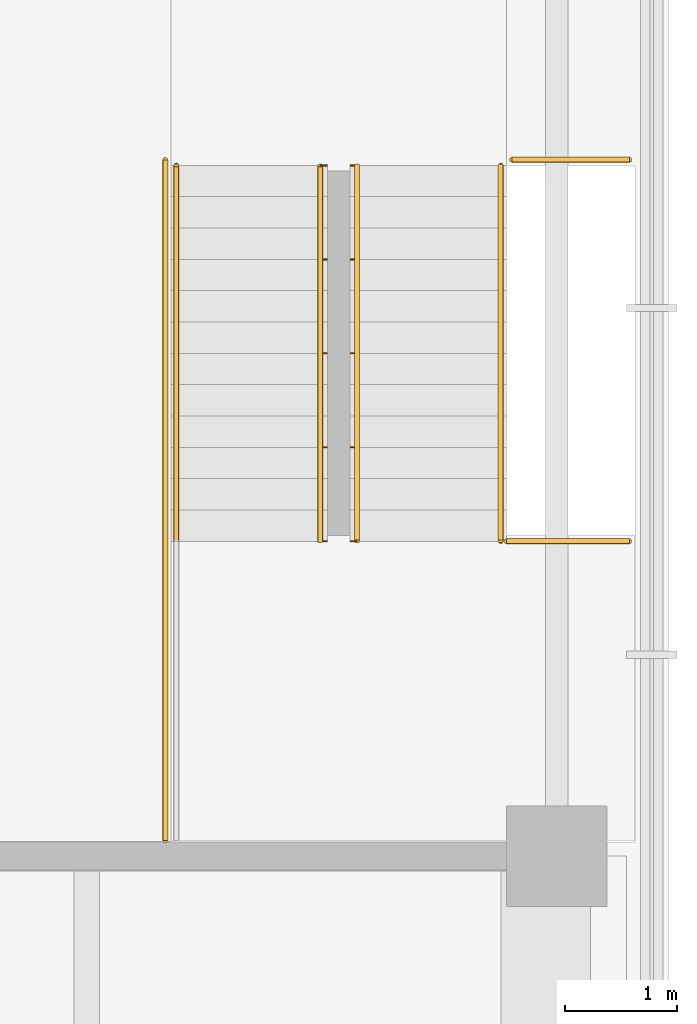
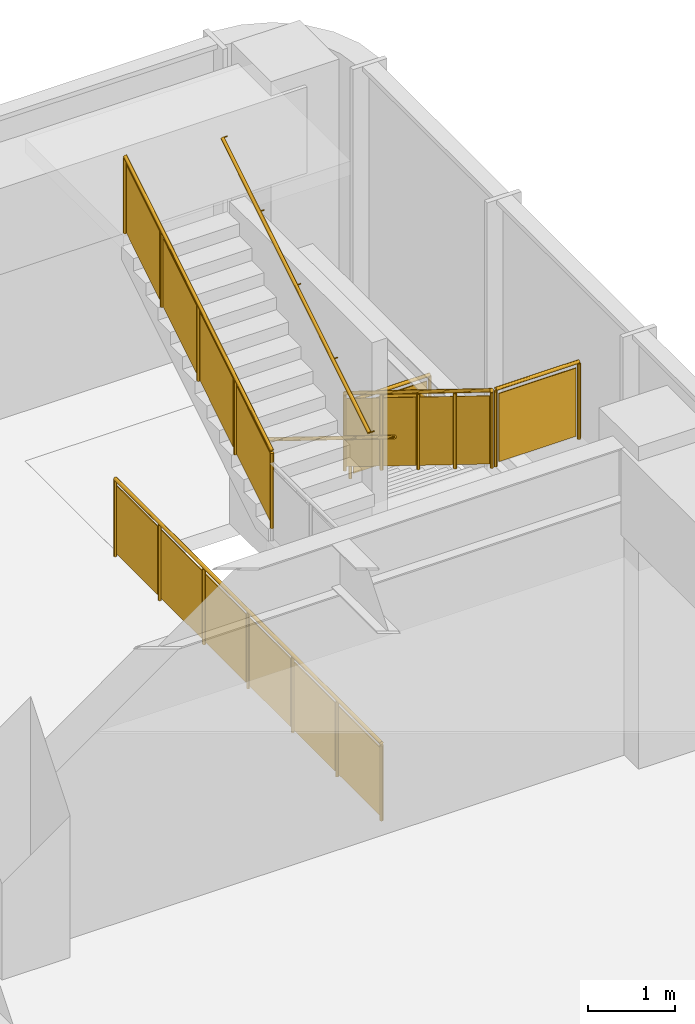
# One storey, part 17 of 17: 7 railings.
"""IFC4 building model written with IfcOpenShell, lengths in metres."""

from ifc_helpers import new_model, si_unit, direction, frame, origin, origin_2d, place, context, subcontext, project, spatial, polyline, circle, outline, extrude, material, type_object, element, save


model = new_model("IFC4")

# Units and contexts
model_context = context("Model", 3, precision=1e-05, world=origin(), true_north=direction((0.0, 1.0)))
body_context = subcontext(model_context, "Body", "Model", "MODEL_VIEW")
ifc_project = project(units=[si_unit("LENGTHUNIT", "METRE"), si_unit("AREAUNIT", "SQUARE_METRE"), si_unit("VOLUMEUNIT", "CUBIC_METRE"), si_unit("PLANEANGLEUNIT", "RADIAN"), si_unit("MASSUNIT", "GRAM", prefix="KILO")], contexts=[model_context])

# Site, building, storey
site_placement = place(None, origin())
site = spatial("IfcSite", under=ifc_project, at=site_placement, CompositionType="ELEMENT")
building_placement = place(site_placement, origin())
building = spatial("IfcBuilding", under=site, at=building_placement, Name="Torre Alcanfor", CompositionType="ELEMENT")
storey_placement = place(building_placement, frame((0.0, 0.0, 19.5)))
storey = spatial("IfcBuildingStorey", under=building, at=storey_placement, Name="L04", CompositionType="ELEMENT", Elevation=19.5)

# Railings
ifc_material_1 = material(Name="Steel ASTM A500 Grade C hollow sections", Category="steel")
railing_type_1 = type_object("IfcRailingType", Name="Stair guard and handrail 1100", PredefinedType="GUARDRAIL", material=ifc_material_1)
railing_1_placement = place(storey_placement, frame((55.300048828125, 56.625, 0.0)))
element("IfcRailing", 1, at=railing_1_placement, inside=storey, type_object=railing_type_1, Name="Stair well guard SS4 L04 door side", PredefinedType="GUARDRAIL", context=body_context, shape_type="SweptSolid", body=[
    extrude(circle(Radius=0.02392578125, at=origin_2d()), frame((0.0, 0.0, 1.076171875), z_axis=(0.0, -1.0, 0.0), x_axis=(1.0, 0.0, 0.0)), (0.0, 0.0, 1.0), 6.0849609375),
    extrude(circle(Radius=0.02099609375, at=origin_2d()), origin(), (0.0, 0.0, 1.0), 1.052001953125),
    extrude(circle(Radius=0.02099609375, at=origin_2d()), frame((0.0, -1.01416015625, 0.0)), (0.0, 0.0, 1.0), 1.052001953125),
    extrude(circle(Radius=0.02099609375, at=origin_2d()), frame((0.0, -2.0283203125, 0.0)), (0.0, 0.0, 1.0), 1.052001953125),
    extrude(circle(Radius=0.02099609375, at=origin_2d()), frame((0.0, -3.04248046875, 0.0)), (0.0, 0.0, 1.0), 1.052001953125),
    extrude(circle(Radius=0.02099609375, at=origin_2d()), frame((0.0, -4.056640625, 0.0)), (0.0, 0.0, 1.0), 1.052001953125),
    extrude(circle(Radius=0.02099609375, at=origin_2d()), frame((0.0, -5.07080078125, 0.0)), (0.0, 0.0, 1.0), 1.052001953125),
    extrude(circle(Radius=0.02099609375, at=origin_2d()), frame((0.0, -6.0849609375, 0.0)), (0.0, 0.0, 1.0), 1.052001953125),
    extrude(outline(polyline([(0.041015625, 0.050048828125), (0.97314453125, 0.050048828125), (0.97314453125, 1.001953125), (0.041015625, 1.001953125), (0.041015625, 0.050048828125)])), frame((0.005859375, 0.0, 0.0), z_axis=(-1.0, 0.0, 0.0), x_axis=(0.0, -1.0, 0.0)), (0.0, 0.0, 1.0), 0.011962890625),
    extrude(outline(polyline([(1.05517578125, 0.050048828125), (1.9873046875, 0.050048828125), (1.9873046875, 1.001953125), (1.05517578125, 1.001953125), (1.05517578125, 0.050048828125)])), frame((0.005859375, 0.0, 0.0), z_axis=(-1.0, 0.0, 0.0), x_axis=(0.0, -1.0, 0.0)), (0.0, 0.0, 1.0), 0.011962890625),
    extrude(outline(polyline([(2.0693359375, 0.050048828125), (3.00146484375, 0.050048828125), (3.00146484375, 1.001953125), (2.0693359375, 1.001953125), (2.0693359375, 0.050048828125)])), frame((0.005859375, 0.0, 0.0), z_axis=(-1.0, 0.0, 0.0), x_axis=(0.0, -1.0, 0.0)), (0.0, 0.0, 1.0), 0.011962890625),
    extrude(outline(polyline([(3.08349609375, 0.050048828125), (4.015625, 0.050048828125), (4.015625, 1.001953125), (3.08349609375, 1.001953125), (3.08349609375, 0.050048828125)])), frame((0.005859375, 0.0, 0.0), z_axis=(-1.0, 0.0, 0.0), x_axis=(0.0, -1.0, 0.0)), (0.0, 0.0, 1.0), 0.011962890625),
    extrude(outline(polyline([(4.09765625, 0.050048828125), (5.02978515625, 0.050048828125), (5.02978515625, 1.001953125), (4.09765625, 1.001953125), (4.09765625, 0.050048828125)])), frame((0.005859375, 0.0, 0.0), z_axis=(-1.0, 0.0, 0.0), x_axis=(0.0, -1.0, 0.0)), (0.0, 0.0, 1.0), 0.011962890625),
    extrude(outline(polyline([(5.11181640625, 0.050048828125), (6.0439453125, 0.050048828125), (6.0439453125, 1.001953125), (5.11181640625, 1.001953125), (5.11181640625, 0.050048828125)])), frame((0.005859375, 0.0, 0.0), z_axis=(-1.0, 0.0, 0.0), x_axis=(0.0, -1.0, 0.0)), (0.0, 0.0, 1.0), 0.011962890625),
])
railing_2_placement = place(storey_placement, frame((59.449951171875, 56.625, 0.0)))
element("IfcRailing", 2, at=railing_2_placement, inside=storey, type_object=railing_type_1, Name="Stair well guard SS4 L04 facade strip", PredefinedType="GUARDRAIL", context=body_context, shape_type="SweptSolid", body=[
    extrude(circle(Radius=0.02392578125, at=origin_2d()), frame((0.0, 0.0, 1.076171875), z_axis=(-1.0, 0.0, 0.0), x_axis=(0.0, -1.0, 0.0)), (0.0, 0.0, 1.0), 1.050048828125),
    extrude(circle(Radius=0.02099609375, at=origin_2d()), origin(), (0.0, 0.0, 1.0), 1.052001953125),
    extrude(circle(Radius=0.02099609375, at=origin_2d()), frame((-1.050048828125, 0.0, 0.0)), (0.0, 0.0, 1.0), 1.052001953125),
    extrude(outline(polyline([(0.041015625, 0.050048828125), (1.009033203125, 0.050048828125), (1.009033203125, 1.001953125), (0.041015625, 1.001953125), (0.041015625, 0.050048828125)])), frame((0.0, -0.005859375, 0.0), z_axis=(0.0, 1.0, 0.0), x_axis=(-1.0, 0.0, 0.0)), (0.0, 0.0, 1.0), 0.011962890625),
])
railing_3_placement = place(storey_placement, frame((58.300048828125, 56.574951171875, 0.173095703125)))
element("IfcRailing", 3, at=railing_3_placement, inside=storey, type_object=railing_type_1, Name="Stair guard SS4 L04 flight 1", PredefinedType="GUARDRAIL", context=body_context, shape_type="SweptSolid", body=[
    extrude(circle(Radius=0.02392578125, at=origin_2d()), frame((0.0, 0.0, 1.076171875), z_axis=(0.0, -0.850606129759, 0.525803396734), x_axis=(1.0, 0.0, 0.0)), (0.0, 0.0, 1.0), 3.949951171875),
    extrude(circle(Radius=0.02099609375, at=origin_2d()), origin(), (0.0, 0.0, 1.0), 1.052001953125),
    extrude(circle(Radius=0.02099609375, at=origin_2d()), frame((0.0, -0.83984375, 0.519287109375)), (0.0, 0.0, 1.0), 1.052001953125),
    extrude(circle(Radius=0.02099609375, at=origin_2d()), frame((0.0, -1.679931640625, 1.03857421875)), (0.0, 0.0, 1.0), 1.052001953125),
    extrude(circle(Radius=0.02099609375, at=origin_2d()), frame((0.0, -2.52001953125, 1.5576171875)), (0.0, 0.0, 1.0), 1.052001953125),
    extrude(circle(Radius=0.02099609375, at=origin_2d()), frame((0.0, -3.35986328125, 2.076904296875)), (0.0, 0.0, 1.0), 1.052001953125),
    extrude(outline(polyline([(0.041015625, 0.075439453125), (0.799072265625, 0.5439453125), (0.799072265625, 1.495849609375), (0.041015625, 1.02734375), (0.041015625, 0.075439453125)])), frame((0.005859375, 0.0, 0.0), z_axis=(-1.0, 0.0, 0.0), x_axis=(0.0, -1.0, 0.0)), (0.0, 0.0, 1.0), 0.011962890625),
    extrude(outline(polyline([(0.880859375, 0.594482421875), (1.638916015625, 1.06298828125), (1.638916015625, 2.01513671875), (0.880859375, 1.546630859375), (0.880859375, 0.594482421875)])), frame((0.005859375, 0.0, 0.0), z_axis=(-1.0, 0.0, 0.0), x_axis=(0.0, -1.0, 0.0)), (0.0, 0.0, 1.0), 0.011962890625),
    extrude(outline(polyline([(1.720947265625, 1.11376953125), (2.47900390625, 1.582275390625), (2.47900390625, 2.534423828125), (1.720947265625, 2.06591796875), (1.720947265625, 1.11376953125)])), frame((0.005859375, 0.0, 0.0), z_axis=(-1.0, 0.0, 0.0), x_axis=(0.0, -1.0, 0.0)), (0.0, 0.0, 1.0), 0.011962890625),
    extrude(outline(polyline([(2.560791015625, 1.633056640625), (3.31884765625, 2.1015625), (3.31884765625, 3.053466796875), (2.560791015625, 2.5849609375), (2.560791015625, 1.633056640625)])), frame((0.005859375, 0.0, 0.0), z_axis=(-1.0, 0.0, 0.0), x_axis=(0.0, -1.0, 0.0)), (0.0, 0.0, 1.0), 0.011962890625),
])
railing_4_placement = place(storey_placement, frame((55.39990234375, 53.215087890625, 2.423095703125)))
element("IfcRailing", 4, at=railing_4_placement, inside=storey, type_object=railing_type_1, Name="Stair guard SS4 L04 flight 2", PredefinedType="GUARDRAIL", context=body_context, shape_type="SweptSolid", body=[
    extrude(circle(Radius=0.02392578125, at=origin_2d()), frame((0.0, 0.0, 1.076171875), z_axis=(0.0, 0.850606129759, 0.525803396734), x_axis=(-1.0, 0.0, 0.0)), (0.0, 0.0, 1.0), 3.949951171875),
    extrude(circle(Radius=0.02099609375, at=origin_2d()), origin(), (0.0, 0.0, 1.0), 1.052001953125),
    extrude(circle(Radius=0.02099609375, at=origin_2d()), frame((0.0, 0.83984375, 0.519287109375)), (0.0, 0.0, 1.0), 1.052001953125),
    extrude(circle(Radius=0.02099609375, at=origin_2d()), frame((0.0, 1.679931640625, 1.03857421875)), (0.0, 0.0, 1.0), 1.052001953125),
    extrude(circle(Radius=0.02099609375, at=origin_2d()), frame((0.0, 2.52001953125, 1.5576171875)), (0.0, 0.0, 1.0), 1.052001953125),
    extrude(circle(Radius=0.02099609375, at=origin_2d()), frame((0.0, 3.35986328125, 2.076904296875)), (0.0, 0.0, 1.0), 1.052001953125),
    extrude(outline(polyline([(0.041015625, 0.075439453125), (0.799072265625, 0.5439453125), (0.799072265625, 1.495849609375), (0.041015625, 1.02734375), (0.041015625, 0.075439453125)])), frame((-0.005859375, 0.0, 0.0), z_axis=(1.0, 0.0, 0.0), x_axis=(0.0, 1.0, 0.0)), (0.0, 0.0, 1.0), 0.011962890625),
    extrude(outline(polyline([(0.880859375, 0.594482421875), (1.638916015625, 1.06298828125), (1.638916015625, 2.01513671875), (0.880859375, 1.546630859375), (0.880859375, 0.594482421875)])), frame((-0.005859375, 0.0, 0.0), z_axis=(1.0, 0.0, 0.0), x_axis=(0.0, 1.0, 0.0)), (0.0, 0.0, 1.0), 0.011962890625),
    extrude(outline(polyline([(1.720947265625, 1.11376953125), (2.47900390625, 1.582275390625), (2.47900390625, 2.534423828125), (1.720947265625, 2.06591796875), (1.720947265625, 1.11376953125)])), frame((-0.005859375, 0.0, 0.0), z_axis=(1.0, 0.0, 0.0), x_axis=(0.0, 1.0, 0.0)), (0.0, 0.0, 1.0), 0.011962890625),
    extrude(outline(polyline([(2.560791015625, 1.633056640625), (3.31884765625, 2.1015625), (3.31884765625, 3.053466796875), (2.560791015625, 2.5849609375), (2.560791015625, 1.633056640625)])), frame((-0.005859375, 0.0, 0.0), z_axis=(1.0, 0.0, 0.0), x_axis=(0.0, 1.0, 0.0)), (0.0, 0.0, 1.0), 0.011962890625),
])
railing_5_placement = place(storey_placement, frame((59.449951171875, 53.215087890625, 2.25)))
element("IfcRailing", 5, at=railing_5_placement, inside=storey, type_object=railing_type_1, Name="Stair guard SS4 L04 half landing facade strip", PredefinedType="GUARDRAIL", context=body_context, shape_type="SweptSolid", body=[
    extrude(circle(Radius=0.02392578125, at=origin_2d()), frame((0.0, 0.0, 1.076171875), z_axis=(-1.0, 0.0, 0.0), x_axis=(0.0, -1.0, 0.0)), (0.0, 0.0, 1.0), 1.099853515625),
    extrude(circle(Radius=0.02099609375, at=origin_2d()), origin(), (0.0, 0.0, 1.0), 1.052001953125),
    extrude(circle(Radius=0.02099609375, at=origin_2d()), frame((-1.099853515625, 0.0, 0.0)), (0.0, 0.0, 1.0), 1.052001953125),
    extrude(outline(polyline([(0.041015625, 0.050048828125), (1.058837890625, 0.050048828125), (1.058837890625, 1.001953125), (0.041015625, 1.001953125), (0.041015625, 0.050048828125)])), frame((0.0, -0.005859375, 0.0), z_axis=(0.0, 1.0, 0.0), x_axis=(-1.0, 0.0, 0.0)), (0.0, 0.0, 1.0), 0.011962890625),
])
ifc_material_2 = material(Name="Steel ASTM A500 Grade C hollow sections", Category="steel")
railing_type_2 = type_object("IfcRailingType", Name="Stair wall handrail 900", PredefinedType="HANDRAIL", material=ifc_material_2)
railing_6_placement = place(storey_placement, frame((57.014892578125, 56.574951171875, 0.173095703125)))
element("IfcRailing", 6, at=railing_6_placement, inside=storey, type_object=railing_type_2, Name="Stair handrail SS4 L04 flight 1", PredefinedType="HANDRAIL", context=body_context, shape_type="SweptSolid", body=[
    extrude(circle(Radius=0.02392578125, at=origin_2d()), frame((0.0, 0.0, 0.8759765625), z_axis=(0.0, -0.850606129759, 0.525803396734), x_axis=(1.0, 0.0, 0.0)), (0.0, 0.0, 1.0), 3.949951171875),
    extrude(circle(Radius=0.008056640625, at=origin_2d()), frame((0.0, 0.0, 0.8759765625), z_axis=(-1.0, 0.0, 0.0), x_axis=(0.0, 0.0, 1.0)), (0.0, 0.0, 1.0), 0.06494140625),
    extrude(circle(Radius=0.008056640625, at=origin_2d()), frame((0.0, -0.83984375, 1.39501953125), z_axis=(-1.0, 0.0, 0.0), x_axis=(0.0, 0.0, 1.0)), (0.0, 0.0, 1.0), 0.06494140625),
    extrude(circle(Radius=0.008056640625, at=origin_2d()), frame((0.0, -1.679931640625, 1.914306640625), z_axis=(-1.0, 0.0, 0.0), x_axis=(0.0, 0.0, 1.0)), (0.0, 0.0, 1.0), 0.06494140625),
    extrude(circle(Radius=0.008056640625, at=origin_2d()), frame((0.0, -2.52001953125, 2.43359375), z_axis=(-1.0, 0.0, 0.0), x_axis=(0.0, 0.0, 1.0)), (0.0, 0.0, 1.0), 0.06494140625),
    extrude(circle(Radius=0.008056640625, at=origin_2d()), frame((0.0, -3.35986328125, 2.95263671875), z_axis=(-1.0, 0.0, 0.0), x_axis=(0.0, 0.0, 1.0)), (0.0, 0.0, 1.0), 0.06494140625),
])
railing_7_placement = place(storey_placement, frame((56.68505859375, 53.215087890625, 2.423095703125)))
element("IfcRailing", 7, at=railing_7_placement, inside=storey, type_object=railing_type_2, Name="Stair handrail SS4 L04 flight 2", PredefinedType="HANDRAIL", context=body_context, shape_type="SweptSolid", body=[
    extrude(circle(Radius=0.02392578125, at=origin_2d()), frame((0.0, 0.0, 0.8759765625), z_axis=(0.0, 0.850606129759, 0.525803396734), x_axis=(-1.0, 0.0, 0.0)), (0.0, 0.0, 1.0), 3.949951171875),
    extrude(circle(Radius=0.008056640625, at=origin_2d()), frame((0.0, 0.0, 0.8759765625), z_axis=(1.0, 0.0, 0.0), x_axis=(0.0, 0.0, 1.0)), (0.0, 0.0, 1.0), 0.06494140625),
    extrude(circle(Radius=0.008056640625, at=origin_2d()), frame((0.0, 0.83984375, 1.39501953125), z_axis=(1.0, 0.0, 0.0), x_axis=(0.0, 0.0, 1.0)), (0.0, 0.0, 1.0), 0.06494140625),
    extrude(circle(Radius=0.008056640625, at=origin_2d()), frame((0.0, 1.679931640625, 1.914306640625), z_axis=(1.0, 0.0, 0.0), x_axis=(0.0, 0.0, 1.0)), (0.0, 0.0, 1.0), 0.06494140625),
    extrude(circle(Radius=0.008056640625, at=origin_2d()), frame((0.0, 2.52001953125, 2.43359375), z_axis=(1.0, 0.0, 0.0), x_axis=(0.0, 0.0, 1.0)), (0.0, 0.0, 1.0), 0.06494140625),
    extrude(circle(Radius=0.008056640625, at=origin_2d()), frame((0.0, 3.35986328125, 2.95263671875), z_axis=(1.0, 0.0, 0.0), x_axis=(0.0, 0.0, 1.0)), (0.0, 0.0, 1.0), 0.06494140625),
])

save(model, "model.ifc")
